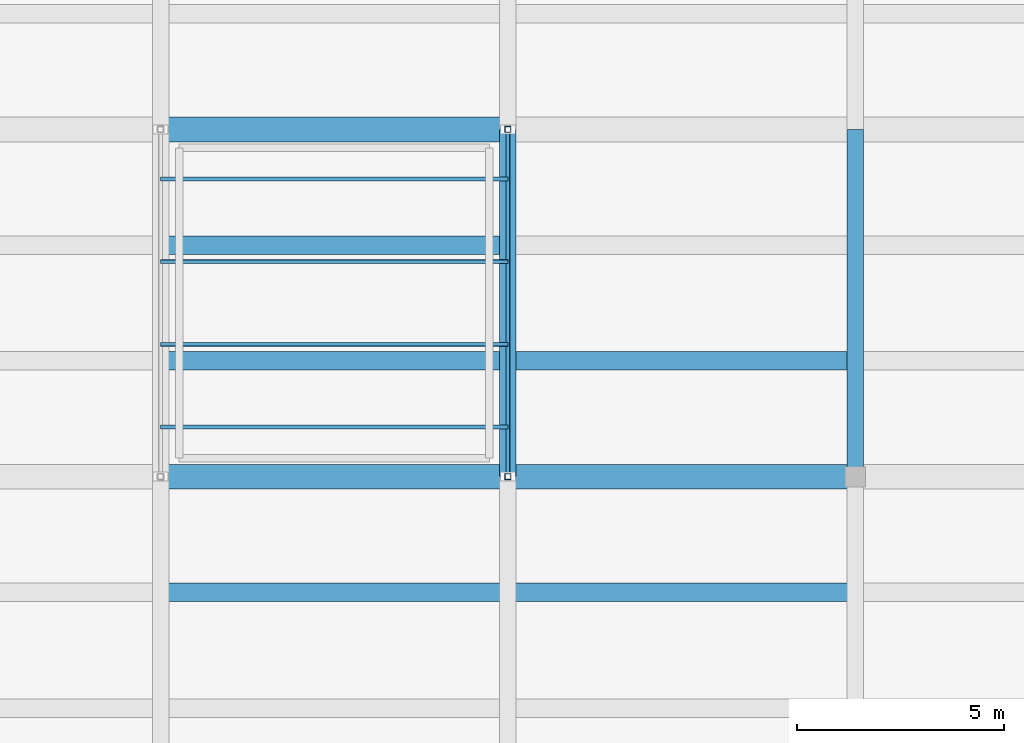
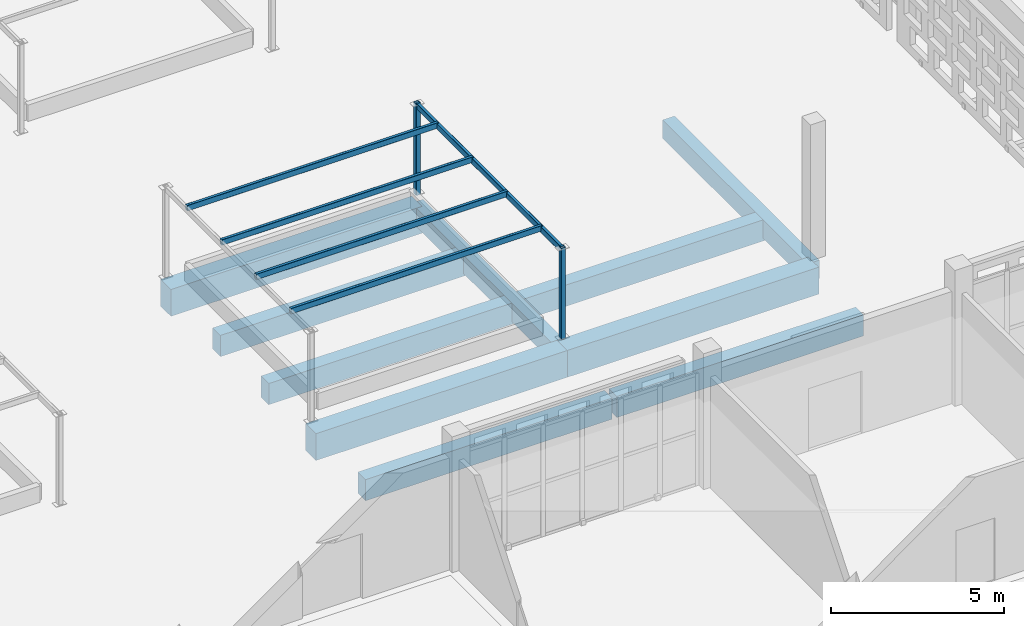
# One storey, part 19 of 129: 10 beams, 7 members.
"""IFC4 building model written with IfcOpenShell, lengths in metres."""

import ifcopenshell
import ifcopenshell.guid

model = None  # the IFC model being written
_history = None  # IfcOwnerHistory: only IFC2X3 demands one
_inside = {}  # id of a spatial element -> (the spatial element, [elements in it])
_under = {}  # id of a project, library or spatial element -> (it, [spatial elements below it])
_declared = {}  # id of a project -> (the project, [libraries it declares])
_typed = {}  # id of a type object -> (the type object, [elements of that type])
_made_of = {}  # id of a material, layer set ... -> (it, [elements and type objects made of it])


def new_model(schema):
    """Start an empty IFC model of exactly this schema.

    Asked for "IFC4X3", IfcOpenShell would pick the latest addendum, in which some entities
    have other attributes; the version numbers below select the first issue.
    IFC2X3 requires an IfcOwnerHistory on every rooted entity: one is made here for all.
    """
    global model, _history
    if schema == "IFC4X3":
        model = ifcopenshell.file(schema_version=(4, 3, 0, 0))
    else:
        model = ifcopenshell.file(schema=schema)
    _inside.clear()
    _under.clear()
    _declared.clear()
    _typed.clear()
    _made_of.clear()
    _history = None
    if model.schema == "IFC2X3":
        org = make("IfcOrganization", Name="unknown")
        user = make(
            "IfcPersonAndOrganization",
            ThePerson=make("IfcPerson", FamilyName="unknown"),
            TheOrganization=org,
        )
        app = make(
            "IfcApplication",
            ApplicationDeveloper=org,
            Version="unknown",
            ApplicationFullName="unknown",
            ApplicationIdentifier="unknown",
        )
        _history = make(
            "IfcOwnerHistory",
            OwningUser=user,
            OwningApplication=app,
            ChangeAction="ADDED",
            CreationDate=0,
        )
    return model


def make(cls, **values):
    """One entity of the class cls with the attributes given. An attribute that is None is left unset."""
    return model.create_entity(
        cls, **{name: value for name, value in values.items() if value is not None}
    )


def rooted(cls, **values):
    """An entity with a GlobalId (a new one), such as an element, a storey or a relation."""
    return make(cls, GlobalId=ifcopenshell.guid.new(), OwnerHistory=_history, **values)


def si_unit(unit_type, name, prefix=None):
    """IfcSIUnit, for example si_unit("LENGTHUNIT", "METRE", prefix="MILLI")."""
    return make("IfcSIUnit", UnitType=unit_type, Prefix=prefix, Name=name)


def assignment(units):
    """IfcUnitAssignment: the units of a project."""
    return None if units is None else make("IfcUnitAssignment", Units=units)


def point(xyz):
    """IfcCartesianPoint."""
    return None if xyz is None else make("IfcCartesianPoint", Coordinates=xyz)


def direction(xyz):
    """IfcDirection."""
    return None if xyz is None else make("IfcDirection", DirectionRatios=xyz)


def frame(location, z_axis=None, x_axis=None):
    """IfcAxis2Placement3D, a coordinate frame: its origin and axes. An axis left out is left unset."""
    return make(
        "IfcAxis2Placement3D",
        Location=point(location),
        Axis=direction(z_axis),
        RefDirection=direction(x_axis),
    )


def frame_2d(location, x_axis=None):
    """IfcAxis2Placement2D, a coordinate frame in the plane: its origin and x axis."""
    return make(
        "IfcAxis2Placement2D", Location=point(location), RefDirection=direction(x_axis)
    )


def origin():
    """The frame at (0, 0, 0) with its axes left unset."""
    return frame((0.0, 0.0, 0.0))


def origin_2d():
    """The frame at (0, 0) in the plane with its x axis left unset."""
    return frame_2d((0.0, 0.0))


def place(relative_to, where):
    """IfcLocalPlacement: puts the frame where relative to a parent placement (None: the world)."""
    return make(
        "IfcLocalPlacement", PlacementRelTo=relative_to, RelativePlacement=where
    )


def context(
    kind, dimensions, precision=None, world=None, true_north=None, identifier=None
):
    """IfcGeometricRepresentationContext, for example the 3D "Model" context."""
    return make(
        "IfcGeometricRepresentationContext",
        ContextIdentifier=identifier,
        ContextType=kind,
        CoordinateSpaceDimension=dimensions,
        Precision=precision,
        WorldCoordinateSystem=world,
        TrueNorth=true_north,
    )


def subcontext(parent, identifier, kind, view, scale=None):
    """IfcGeometricRepresentationSubContext, for example "Body" below "Model"."""
    return make(
        "IfcGeometricRepresentationSubContext",
        ContextIdentifier=identifier,
        ContextType=kind,
        ParentContext=parent,
        TargetScale=scale,
        TargetView=view,
    )


def project(units=None, contexts=None):
    """IfcProject with its units and contexts."""
    return rooted(
        "IfcProject",
        Name="project",
        RepresentationContexts=contexts,
        UnitsInContext=assignment(units),
    )


def spatial(cls, under=None, at=None, **own):
    """A site, building, storey or space (cls), placed at a placement, below another one or the project."""
    s = rooted(cls, ObjectPlacement=at, **own)
    if under is not None:
        _under.setdefault(under.id(), (under, []))[1].append(s)
    return s


def profile(cls, at=None, kind="AREA", **sizes):
    """A parametric profile (cls). Its sizes go by their IFC names, for example OverallWidth=200.0."""
    return make(cls, ProfileType=kind, Position=at, **sizes)


def rectangle(**sizes):
    """IfcRectangleProfileDef."""
    return profile("IfcRectangleProfileDef", **sizes)


def hollow_rectangle(**sizes):
    """IfcRectangleHollowProfileDef."""
    return profile("IfcRectangleHollowProfileDef", **sizes)


def extrude(swept, where, along, depth):
    """IfcExtrudedAreaSolid: the profile swept, set in the frame where, extruded along a direction by depth."""
    return make(
        "IfcExtrudedAreaSolid",
        SweptArea=swept,
        Position=where,
        ExtrudedDirection=direction(along),
        Depth=depth,
    )


def shape(context_of_items, identifier, shape_type, items):
    """IfcShapeRepresentation: the items that make up one representation, for example the "Body"."""
    return make(
        "IfcShapeRepresentation",
        ContextOfItems=context_of_items,
        RepresentationIdentifier=identifier,
        RepresentationType=shape_type,
        Items=items,
    )


def material(Name=None, Category=None):
    """IfcMaterial."""
    return make("IfcMaterial", Name=Name, Category=Category)


def material_profile(
    of_material, cross_section, Name=None, Category=None, Priority=None
):
    """IfcMaterialProfile: a cross section and its material."""
    return make(
        "IfcMaterialProfile",
        Name=Name,
        Material=of_material,
        Profile=cross_section,
        Priority=Priority,
        Category=Category,
    )


def profile_set(profiles, Name=None, composite=None):
    """IfcMaterialProfileSet."""
    return make(
        "IfcMaterialProfileSet",
        Name=Name,
        MaterialProfiles=profiles,
        CompositeProfile=composite,
    )


def made_of(thing, what):
    """Note that an element or type object is made of a material, layer set ...; save() writes the relation."""
    if what is not None:
        _made_of.setdefault(what.id(), (what, []))[1].append(thing)
    return thing


def type_object(cls, material=None, **own):
    """A type object (cls), such as IfcWallType, which elements share."""
    return made_of(rooted(cls, **own), material)


def element(
    cls,
    number,
    at=None,
    inside=None,
    cuts=None,
    type_object=None,
    material=None,
    context=None,
    identifier="Body",
    shape_type=None,
    held_by="IfcProductDefinitionShape",
    body=None,
    shapes=None,
    **own,
):
    """One element of the class cls, such as IfcWall. Its Tag is "e" and its number.

    at: its placement. inside: the storey or other place that contains it. cuts: it is an
    opening in that element (IfcRelVoidsElement). A single representation is given by context,
    identifier, shape_type and body (its items); several are given by shapes. held_by: the class
    of the entity that holds the representations. save() writes the other relations.
    """
    e = rooted(cls, Tag="e%d" % number, ObjectPlacement=at, **own)
    if body is not None:
        shapes = [shape(context, identifier, shape_type, body)]
    if shapes is not None:
        e.Representation = make(held_by, Representations=shapes)
    if inside is not None:
        _inside.setdefault(inside.id(), (inside, []))[1].append(e)
    if cuts is not None:
        rooted(
            "IfcRelVoidsElement", RelatingBuildingElement=cuts, RelatedOpeningElement=e
        )
    if type_object is not None:
        _typed.setdefault(type_object.id(), (type_object, []))[1].append(e)
    return made_of(e, material)


def aggregate(whole, parts):
    """IfcRelAggregates: a whole, such as a stair, and the parts it consists of."""
    return rooted("IfcRelAggregates", RelatingObject=whole, RelatedObjects=parts)


def save(model, path):
    """Write the relations noted so far, then the file.

    IfcRelAggregates (storeys below a building ...), IfcRelContainedInSpatialStructure (elements
    in a storey), IfcRelDefinesByType, IfcRelAssociatesMaterial and IfcRelDeclares: one each for
    every whole, place, type object, material and project.
    """
    for whole, parts in _under.values():
        aggregate(whole, parts)
    for where, things in _inside.values():
        rooted(
            "IfcRelContainedInSpatialStructure",
            RelatedElements=things,
            RelatingStructure=where,
        )
    for kind, things in _typed.values():
        rooted("IfcRelDefinesByType", RelatedObjects=things, RelatingType=kind)
    for what, things in _made_of.values():
        rooted("IfcRelAssociatesMaterial", RelatedObjects=things, RelatingMaterial=what)
    for by, libraries in _declared.values():
        rooted("IfcRelDeclares", RelatingContext=by, RelatedDefinitions=libraries)
    model.write(path)


model = new_model("IFC4")

# Units and contexts
model_context = context("Model", 3, precision=1e-05, world=origin(), true_north=direction((0.0, 1.0)))
body_context = subcontext(model_context, "Body", "Model", "MODEL_VIEW")
ifc_project = project(units=[si_unit("LENGTHUNIT", "METRE"), si_unit("AREAUNIT", "SQUARE_METRE"), si_unit("VOLUMEUNIT", "CUBIC_METRE"), si_unit("PLANEANGLEUNIT", "RADIAN"), si_unit("MASSUNIT", "GRAM", prefix="KILO")], contexts=[model_context])

# Site, building, storey
site_placement = place(None, origin())
site = spatial("IfcSite", under=ifc_project, at=site_placement, CompositionType="ELEMENT")
building_placement = place(site_placement, origin())
building = spatial("IfcBuilding", under=site, at=building_placement, Name="Varnapada Polytechnic", CompositionType="ELEMENT")
storey_placement = place(building_placement, origin())
storey = spatial("IfcBuildingStorey", under=building, at=storey_placement, Name="L00", CompositionType="ELEMENT", Elevation=0.0)

# Beams
ifc_material_1 = material(Name="Concrete C40/50", Category="concrete")
ifc_material_profile_1 = material_profile(ifc_material_1, rectangle(XDim=0.449951171875, YDim=0.75, at=origin_2d()), Name="RC 450x750")
ifc_profile_set_1 = profile_set([ifc_material_profile_1], Name="Concrete C40/50")
beam_type_1 = type_object("IfcBeamType", Name="Basement/podium secondary beam BB-01 (RC 450x750)", PredefinedType="BEAM", material=ifc_profile_set_1)
for number, where, z_axis, x_axis, name in (
    (1, (109.280029296875, 47.60009765625, -0.655029296875), (1.0, 0.0, 0.0), (0.0, 1.0, 0.0), "L00 floor joist 14/6.2"),
    (2, (109.280029296875, 53.199951171875, -0.655029296875), (1.0, 0.0, 0.0), (0.0, 1.0, 0.0), "L00 floor joist 14/7.1"),
    (3, (109.280029296875, 56.0, -0.655029296875), (1.0, 0.0, 0.0), (0.0, 1.0, 0.0), "L00 floor joist 14/7.2"),
    (4, (117.679931640625, 47.60009765625, -0.655029296875), (1.0, 0.0, 0.0), (0.0, 1.0, 0.0), "L00 floor joist 15/6.2"),
    (5, (117.679931640625, 53.199951171875, -0.655029296875), (1.0, 0.0, 0.0), (0.0, 1.0, 0.0), "L00 floor joist 15/7.1"),
):
    element("IfcBeam", number, at=place(storey_placement, frame(where, z_axis=z_axis, x_axis=x_axis)), inside=storey, type_object=beam_type_1, Name=name, PredefinedType="BEAM", context=body_context, shape_type="SweptSolid", body=[
        extrude(rectangle(XDim=0.449951171875, YDim=0.75, at=origin_2d()), origin(), (0.0, 0.0, 1.0), 8.239990234375),
    ])

# Members
ifc_material_2 = material(Name="Steel S355", Category="steel")
ifc_material_profile_2 = material_profile(ifc_material_2, hollow_rectangle(XDim=0.10009765625, YDim=0.199951171875, WallThickness=0.00634765625, InnerFilletRadius=0.006103515625, OuterFilletRadius=0.011962890625, at=origin_2d()), Name="RHS 200x100x6.3")
ifc_profile_set_2 = profile_set([ifc_material_profile_2], Name="Steel S355")
member_type_1 = type_object("IfcMemberType", Name="Gable and library roof steel purlin PR-01 (RHS 200x100x6.3)", PredefinedType="PURLIN", material=ifc_profile_set_2)
for number, where, z_axis, x_axis, name in (
    (6, (117.60009765625, 50.39990234375, 3.1201171875), (0.0, 1.0, 0.0), (-1.0, 0.0, 0.0), "Courtyard planted garden pergola girder CT-BED-3.2"),
    (7, (109.199951171875, 51.60009765625, 3.159912109375), (1.0, 0.0, 0.0), (0.0, 1.0, 0.0), "Courtyard planted garden shade trellis CT-BED-3.1"),
    (8, (109.199951171875, 53.60009765625, 3.159912109375), (1.0, 0.0, 0.0), (0.0, 1.0, 0.0), "Courtyard planted garden shade trellis CT-BED-3.2"),
    (9, (109.199951171875, 55.60009765625, 3.159912109375), (1.0, 0.0, 0.0), (0.0, 1.0, 0.0), "Courtyard planted garden shade trellis CT-BED-3.3"),
    (10, (109.199951171875, 57.60009765625, 3.159912109375), (1.0, 0.0, 0.0), (0.0, 1.0, 0.0), "Courtyard planted garden shade trellis CT-BED-3.4"),
):
    element("IfcMember", number, at=place(storey_placement, frame(where, z_axis=z_axis, x_axis=x_axis)), inside=storey, type_object=member_type_1, Name=name, PredefinedType="PURLIN", context=body_context, shape_type="SweptSolid", body=[
        extrude(hollow_rectangle(XDim=0.10009765625, YDim=0.199951171875, WallThickness=0.00634765625, InnerFilletRadius=0.006103515625, OuterFilletRadius=0.011962890625, at=origin_2d()), origin(), (0.0, 0.0, 1.0), 8.400146484375),
    ])

# Beams
ifc_material_profile_3 = material_profile(ifc_material_1, rectangle(XDim=0.39990234375, YDim=0.64990234375, at=origin_2d()), Name="RC 400x650")
ifc_profile_set_3 = profile_set([ifc_material_profile_3], Name="Concrete C40/50")
beam_type_2 = type_object("IfcBeamType", Name="Podium framing beam BB-02 (RC 400x650)", PredefinedType="BEAM", material=ifc_profile_set_3)
for number, where, z_axis, x_axis, name in (
    (11, (117.60009765625, 50.39990234375, -0.60498046875), (0.0, 1.0, 0.0), (-1.0, 0.0, 0.0), "L00 beam Y 7-8 at X15"),
    (12, (126.0, 50.39990234375, -0.60498046875), (0.0, 1.0, 0.0), (-1.0, 0.0, 0.0), "L00 beam Y 7-8 at X16"),
):
    element("IfcBeam", number, at=place(storey_placement, frame(where, z_axis=z_axis, x_axis=x_axis)), inside=storey, type_object=beam_type_2, Name=name, PredefinedType="BEAM", context=body_context, shape_type="SweptSolid", body=[
        extrude(rectangle(XDim=0.39990234375, YDim=0.64990234375, at=origin_2d()), origin(), (0.0, 0.0, 1.0), 8.400146484375),
    ])

# Members
ifc_material_profile_4 = material_profile(ifc_material_2, hollow_rectangle(XDim=0.14990234375, YDim=0.14990234375, WallThickness=0.00634765625, InnerFilletRadius=0.006103515625, OuterFilletRadius=0.011962890625, at=origin_2d()), Name="SHS 150x150x6.3")
ifc_profile_set_4 = profile_set([ifc_material_profile_4], Name="Steel S355")
member_type_2 = type_object("IfcMemberType", Name="Sawtooth north-light mullion post SFP-02 (SHS 150x150x6.3)", PredefinedType="POST", material=ifc_profile_set_4)
for number, where, z_axis, x_axis, name in (
    (13, (117.60009765625, 50.39990234375, -0.02001953125), (0.0, 0.0, 1.0), (1.0, 0.0, 0.0), "Courtyard planted garden trellis post CT-BED-3.2.1"),
    (14, (117.60009765625, 58.800048828125, -0.02001953125), (0.0, 0.0, 1.0), (1.0, 0.0, 0.0), "Courtyard planted garden trellis post CT-BED-3.2.2"),
):
    element("IfcMember", number, at=place(storey_placement, frame(where, z_axis=z_axis, x_axis=x_axis)), inside=storey, type_object=member_type_2, Name=name, PredefinedType="POST", context=body_context, shape_type="SweptSolid", body=[
        extrude(hollow_rectangle(XDim=0.14990234375, YDim=0.14990234375, WallThickness=0.00634765625, InnerFilletRadius=0.006103515625, OuterFilletRadius=0.011962890625, at=origin_2d()), origin(), (0.0, 0.0, 1.0), 3.239990234375),
    ])

# Beams
ifc_material_profile_5 = material_profile(ifc_material_1, rectangle(XDim=0.60009765625, YDim=0.949951171875, at=origin_2d()), Name="RC 600x950")
ifc_profile_set_5 = profile_set([ifc_material_profile_5], Name="Concrete C40/50")
beam_type_3 = type_object("IfcBeamType", Name="Workshop podium heavy girder BG-03 (RC 600x950)", PredefinedType="T_BEAM", material=ifc_profile_set_5)
for number, where, z_axis, x_axis, name in (
    (15, (109.199951171875, 50.39990234375, -0.7548828125), (1.0, 0.0, 0.0), (0.0, 1.0, 0.0), "L00 beam X 14-15 at Y7"),
    (16, (109.199951171875, 58.800048828125, -0.7548828125), (1.0, 0.0, 0.0), (0.0, 1.0, 0.0), "L00 beam X 14-15 at Y8"),
):
    element("IfcBeam", number, at=place(storey_placement, frame(where, z_axis=z_axis, x_axis=x_axis)), inside=storey, type_object=beam_type_3, Name=name, PredefinedType="T_BEAM", context=body_context, shape_type="SweptSolid", body=[
        extrude(rectangle(XDim=0.60009765625, YDim=0.949951171875, at=origin_2d()), origin(), (0.0, 0.0, 1.0), 8.400146484375),
    ])
beam_placement = place(storey_placement, frame((117.60009765625, 50.39990234375, -0.7548828125), z_axis=(1.0, 0.0, 0.0), x_axis=(0.0, 1.0, 0.0)))
element("IfcBeam", 17, at=beam_placement, inside=storey, type_object=beam_type_3, Name="L00 beam X 15-16 at Y7", PredefinedType="T_BEAM", context=body_context, shape_type="SweptSolid", body=[
    extrude(rectangle(XDim=0.60009765625, YDim=0.949951171875, at=origin_2d()), origin(), (0.0, 0.0, 1.0), 8.39990234375),
])

save(model, "model.ifc")
